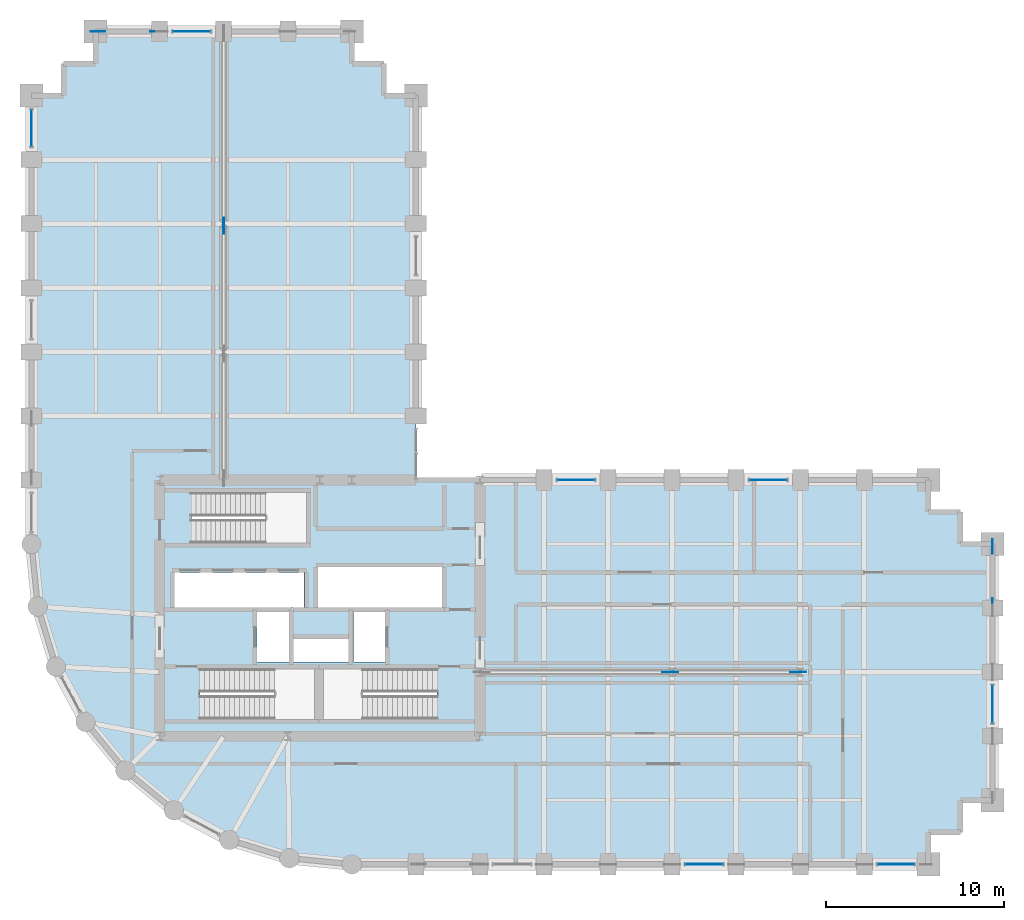
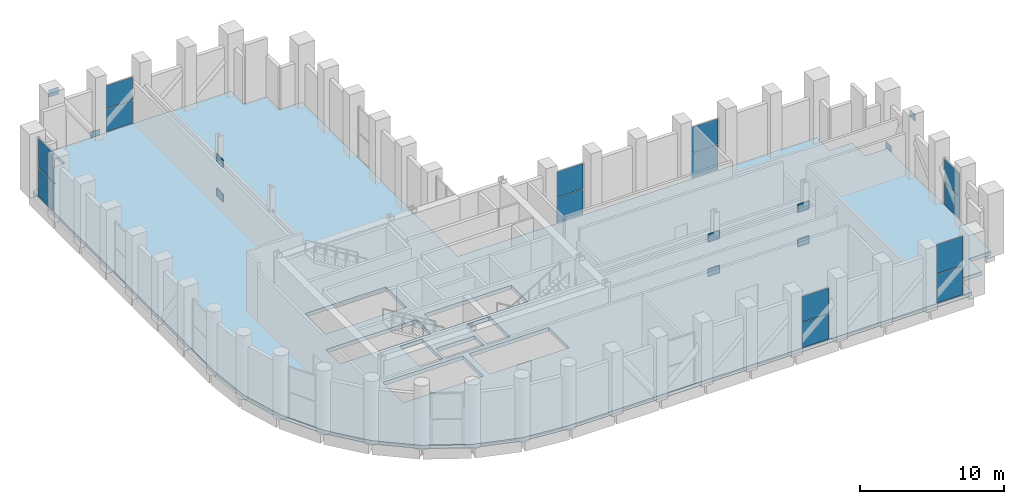
# One storey, part 21 of 27: 24 plates, 1 slab, 7 elements without a shape of their own.
"""IFC4 building model written with IfcOpenShell, lengths in metres."""

import ifcopenshell
import ifcopenshell.guid

model = None  # the IFC model being written
_history = None  # IfcOwnerHistory: only IFC2X3 demands one
_inside = {}  # id of a spatial element -> (the spatial element, [elements in it])
_under = {}  # id of a project, library or spatial element -> (it, [spatial elements below it])
_declared = {}  # id of a project -> (the project, [libraries it declares])
_typed = {}  # id of a type object -> (the type object, [elements of that type])
_made_of = {}  # id of a material, layer set ... -> (it, [elements and type objects made of it])


def new_model(schema):
    """Start an empty IFC model of exactly this schema.

    Asked for "IFC4X3", IfcOpenShell would pick the latest addendum, in which some entities
    have other attributes; the version numbers below select the first issue.
    IFC2X3 requires an IfcOwnerHistory on every rooted entity: one is made here for all.
    """
    global model, _history
    if schema == "IFC4X3":
        model = ifcopenshell.file(schema_version=(4, 3, 0, 0))
    else:
        model = ifcopenshell.file(schema=schema)
    _inside.clear()
    _under.clear()
    _declared.clear()
    _typed.clear()
    _made_of.clear()
    _history = None
    if model.schema == "IFC2X3":
        org = make("IfcOrganization", Name="unknown")
        user = make(
            "IfcPersonAndOrganization",
            ThePerson=make("IfcPerson", FamilyName="unknown"),
            TheOrganization=org,
        )
        app = make(
            "IfcApplication",
            ApplicationDeveloper=org,
            Version="unknown",
            ApplicationFullName="unknown",
            ApplicationIdentifier="unknown",
        )
        _history = make(
            "IfcOwnerHistory",
            OwningUser=user,
            OwningApplication=app,
            ChangeAction="ADDED",
            CreationDate=0,
        )
    return model


def make(cls, **values):
    """One entity of the class cls with the attributes given. An attribute that is None is left unset."""
    return model.create_entity(
        cls, **{name: value for name, value in values.items() if value is not None}
    )


def rooted(cls, **values):
    """An entity with a GlobalId (a new one), such as an element, a storey or a relation."""
    return make(cls, GlobalId=ifcopenshell.guid.new(), OwnerHistory=_history, **values)


def si_unit(unit_type, name, prefix=None):
    """IfcSIUnit, for example si_unit("LENGTHUNIT", "METRE", prefix="MILLI")."""
    return make("IfcSIUnit", UnitType=unit_type, Prefix=prefix, Name=name)


def assignment(units):
    """IfcUnitAssignment: the units of a project."""
    return None if units is None else make("IfcUnitAssignment", Units=units)


def point(xyz):
    """IfcCartesianPoint."""
    return None if xyz is None else make("IfcCartesianPoint", Coordinates=xyz)


def direction(xyz):
    """IfcDirection."""
    return None if xyz is None else make("IfcDirection", DirectionRatios=xyz)


def frame(location, z_axis=None, x_axis=None):
    """IfcAxis2Placement3D, a coordinate frame: its origin and axes. An axis left out is left unset."""
    return make(
        "IfcAxis2Placement3D",
        Location=point(location),
        Axis=direction(z_axis),
        RefDirection=direction(x_axis),
    )


def frame_2d(location, x_axis=None):
    """IfcAxis2Placement2D, a coordinate frame in the plane: its origin and x axis."""
    return make(
        "IfcAxis2Placement2D", Location=point(location), RefDirection=direction(x_axis)
    )


def origin():
    """The frame at (0, 0, 0) with its axes left unset."""
    return frame((0.0, 0.0, 0.0))


def origin_2d():
    """The frame at (0, 0) in the plane with its x axis left unset."""
    return frame_2d((0.0, 0.0))


def place(relative_to, where):
    """IfcLocalPlacement: puts the frame where relative to a parent placement (None: the world)."""
    return make(
        "IfcLocalPlacement", PlacementRelTo=relative_to, RelativePlacement=where
    )


def context(
    kind, dimensions, precision=None, world=None, true_north=None, identifier=None
):
    """IfcGeometricRepresentationContext, for example the 3D "Model" context."""
    return make(
        "IfcGeometricRepresentationContext",
        ContextIdentifier=identifier,
        ContextType=kind,
        CoordinateSpaceDimension=dimensions,
        Precision=precision,
        WorldCoordinateSystem=world,
        TrueNorth=true_north,
    )


def subcontext(parent, identifier, kind, view, scale=None):
    """IfcGeometricRepresentationSubContext, for example "Body" below "Model"."""
    return make(
        "IfcGeometricRepresentationSubContext",
        ContextIdentifier=identifier,
        ContextType=kind,
        ParentContext=parent,
        TargetScale=scale,
        TargetView=view,
    )


def project(units=None, contexts=None):
    """IfcProject with its units and contexts."""
    return rooted(
        "IfcProject",
        Name="project",
        RepresentationContexts=contexts,
        UnitsInContext=assignment(units),
    )


def spatial(cls, under=None, at=None, **own):
    """A site, building, storey or space (cls), placed at a placement, below another one or the project."""
    s = rooted(cls, ObjectPlacement=at, **own)
    if under is not None:
        _under.setdefault(under.id(), (under, []))[1].append(s)
    return s


def polyline(points):
    """IfcPolyline through the points."""
    return make("IfcPolyline", Points=[point(p) for p in points])


def profile(cls, at=None, kind="AREA", **sizes):
    """A parametric profile (cls). Its sizes go by their IFC names, for example OverallWidth=200.0."""
    return make(cls, ProfileType=kind, Position=at, **sizes)


def rectangle(**sizes):
    """IfcRectangleProfileDef."""
    return profile("IfcRectangleProfileDef", **sizes)


def outline(outer, holes=None, kind="AREA"):
    """IfcArbitraryClosedProfileDef: a profile drawn as a closed curve; with holes, ...WithVoids."""
    if holes is None:
        return make("IfcArbitraryClosedProfileDef", ProfileType=kind, OuterCurve=outer)
    return make(
        "IfcArbitraryProfileDefWithVoids",
        ProfileType=kind,
        OuterCurve=outer,
        InnerCurves=holes,
    )


def extrude(swept, where, along, depth):
    """IfcExtrudedAreaSolid: the profile swept, set in the frame where, extruded along a direction by depth."""
    return make(
        "IfcExtrudedAreaSolid",
        SweptArea=swept,
        Position=where,
        ExtrudedDirection=direction(along),
        Depth=depth,
    )


def shape(context_of_items, identifier, shape_type, items):
    """IfcShapeRepresentation: the items that make up one representation, for example the "Body"."""
    return make(
        "IfcShapeRepresentation",
        ContextOfItems=context_of_items,
        RepresentationIdentifier=identifier,
        RepresentationType=shape_type,
        Items=items,
    )


def material(Name=None, Category=None):
    """IfcMaterial."""
    return make("IfcMaterial", Name=Name, Category=Category)


def layer(
    of_material, thickness, ventilated=None, Name=None, Category=None, Priority=None
):
    """IfcMaterialLayer: one layer of a wall or slab, of a material (None: an air gap)."""
    return make(
        "IfcMaterialLayer",
        Material=of_material,
        LayerThickness=thickness,
        IsVentilated=ventilated,
        Name=Name,
        Category=Category,
        Priority=Priority,
    )


def layer_set(layers, Name=None):
    """IfcMaterialLayerSet."""
    return make("IfcMaterialLayerSet", MaterialLayers=layers, LayerSetName=Name)


def made_of(thing, what):
    """Note that an element or type object is made of a material, layer set ...; save() writes the relation."""
    if what is not None:
        _made_of.setdefault(what.id(), (what, []))[1].append(thing)
    return thing


def type_object(cls, material=None, **own):
    """A type object (cls), such as IfcWallType, which elements share."""
    return made_of(rooted(cls, **own), material)


def element(
    cls,
    number,
    at=None,
    inside=None,
    cuts=None,
    type_object=None,
    material=None,
    context=None,
    identifier="Body",
    shape_type=None,
    held_by="IfcProductDefinitionShape",
    body=None,
    shapes=None,
    **own,
):
    """One element of the class cls, such as IfcWall. Its Tag is "e" and its number.

    at: its placement. inside: the storey or other place that contains it. cuts: it is an
    opening in that element (IfcRelVoidsElement). A single representation is given by context,
    identifier, shape_type and body (its items); several are given by shapes. held_by: the class
    of the entity that holds the representations. save() writes the other relations.
    """
    e = rooted(cls, Tag="e%d" % number, ObjectPlacement=at, **own)
    if body is not None:
        shapes = [shape(context, identifier, shape_type, body)]
    if shapes is not None:
        e.Representation = make(held_by, Representations=shapes)
    if inside is not None:
        _inside.setdefault(inside.id(), (inside, []))[1].append(e)
    if cuts is not None:
        rooted(
            "IfcRelVoidsElement", RelatingBuildingElement=cuts, RelatedOpeningElement=e
        )
    if type_object is not None:
        _typed.setdefault(type_object.id(), (type_object, []))[1].append(e)
    return made_of(e, material)


def aggregate(whole, parts):
    """IfcRelAggregates: a whole, such as a stair, and the parts it consists of."""
    return rooted("IfcRelAggregates", RelatingObject=whole, RelatedObjects=parts)


def save(model, path):
    """Write the relations noted so far, then the file.

    IfcRelAggregates (storeys below a building ...), IfcRelContainedInSpatialStructure (elements
    in a storey), IfcRelDefinesByType, IfcRelAssociatesMaterial and IfcRelDeclares: one each for
    every whole, place, type object, material and project.
    """
    for whole, parts in _under.values():
        aggregate(whole, parts)
    for where, things in _inside.values():
        rooted(
            "IfcRelContainedInSpatialStructure",
            RelatedElements=things,
            RelatingStructure=where,
        )
    for kind, things in _typed.values():
        rooted("IfcRelDefinesByType", RelatedObjects=things, RelatingType=kind)
    for what, things in _made_of.values():
        rooted("IfcRelAssociatesMaterial", RelatedObjects=things, RelatingMaterial=what)
    for by, libraries in _declared.values():
        rooted("IfcRelDeclares", RelatingContext=by, RelatedDefinitions=libraries)
    model.write(path)


model = new_model("IFC4")

# Units and contexts
model_context = context("Model", 3, precision=1e-05, world=origin(), true_north=direction((0.0, 1.0)))
body_context = subcontext(model_context, "Body", "Model", "MODEL_VIEW")
ifc_project = project(units=[si_unit("LENGTHUNIT", "METRE"), si_unit("AREAUNIT", "SQUARE_METRE"), si_unit("VOLUMEUNIT", "CUBIC_METRE"), si_unit("PLANEANGLEUNIT", "RADIAN"), si_unit("MASSUNIT", "GRAM", prefix="KILO")], contexts=[model_context])

# Site, building, storey
site_placement = place(None, origin())
site = spatial("IfcSite", under=ifc_project, at=site_placement, CompositionType="ELEMENT")
building_placement = place(site_placement, origin())
building = spatial("IfcBuilding", under=site, at=building_placement, Name="Solnavia Interchange Tower", CompositionType="ELEMENT")
storey_placement = place(building_placement, frame((0.0, 0.0, 74.699951171875)))
storey = spatial("IfcBuildingStorey", under=building, at=storey_placement, Name="L18", CompositionType="ELEMENT", Elevation=74.699951171875)

# Curtain wall, plates
ifc_material_1 = material(Name="Aluminium Alloy 6063-T6", Category="aluminium")
ifc_layer_1 = layer(ifc_material_1, 0.199951171875)
ifc_layer_set_1 = layer_set([ifc_layer_1], Name="Aluminium Alloy 6063-T6")
curtain_wall_type = type_object("IfcCurtainWallType", Name="CurtainWall-Louvre-CTW5", PredefinedType="NOTDEFINED", material=ifc_layer_set_1)
curtain_wall_1_placement = place(storey_placement, origin())
curtain_wall_1 = element("IfcCurtainWall", 1, at=curtain_wall_1_placement, inside=storey, type_object=curtain_wall_type, Name="CTW-L18-L06 CTW-5 curtain wall", PredefinedType="NOTDEFINED")
ifc_material_2 = material(Name="Powder-Coated Aluminium Louvre", Category="aluminium")
ifc_layer_2 = layer(ifc_material_2, 0.0400390625)
ifc_layer_set_2 = layer_set([ifc_layer_2], Name="Powder-Coated Aluminium Louvre")
plate_type_1 = type_object("IfcPlateType", Name="CW-Panel-Louvre-40", PredefinedType="CURTAIN_PANEL", material=ifc_layer_set_2)
plate_1_placement = place(storey_placement, frame((45.0, 3.60009765625, 0.06005859375), z_axis=(0.0, 0.0, 1.0), x_axis=(1.0, 0.0, 0.0)))
plate_1 = element("IfcPlate", 2, at=plate_1_placement, type_object=plate_type_1, Name="CTW-5 panel 1.1", PredefinedType="CURTAIN_PANEL", context=body_context, shape_type="SweptSolid", body=[
    extrude(rectangle(XDim=2.10498046875, YDim=0.0400390625, at=origin_2d()), origin(), (0.0, 0.0, 1.0), 2.125),
])
plate_2_placement = place(storey_placement, frame((45.0, 3.60009765625, 2.2451171875), z_axis=(0.0, 0.0, 1.0), x_axis=(1.0, 0.0, 0.0)))
plate_2 = element("IfcPlate", 3, at=plate_2_placement, type_object=plate_type_1, Name="CTW-5 panel 1.2", PredefinedType="CURTAIN_PANEL", context=body_context, shape_type="SweptSolid", body=[
    extrude(rectangle(XDim=2.10498046875, YDim=0.0400390625, at=origin_2d()), origin(), (0.0, 0.0, 1.0), 2.125),
])
aggregate(curtain_wall_1, [plate_1, plate_2])

curtain_wall_2_placement = place(storey_placement, origin())
curtain_wall_2 = element("IfcCurtainWall", 4, at=curtain_wall_2_placement, inside=storey, type_object=curtain_wall_type, Name="CTW-L18-L09 CTW-5 curtain wall", PredefinedType="NOTDEFINED")
plate_3_placement = place(storey_placement, frame((55.77490234375, 3.60009765625, 0.06005859375), z_axis=(0.0, 0.0, 1.0), x_axis=(1.0, 0.0, 0.0)))
plate_3 = element("IfcPlate", 5, at=plate_3_placement, type_object=plate_type_1, Name="CTW-5 panel 1.1", PredefinedType="CURTAIN_PANEL", context=body_context, shape_type="SweptSolid", body=[
    extrude(rectangle(XDim=2.054931640625, YDim=0.0400390625, at=origin_2d()), origin(), (0.0, 0.0, 1.0), 2.443115234375),
])
plate_4_placement = place(storey_placement, frame((55.77490234375, 3.60009765625, 2.56298828125), z_axis=(0.0, 0.0, 1.0), x_axis=(1.0, 0.0, 0.0)))
plate_4 = element("IfcPlate", 6, at=plate_4_placement, type_object=plate_type_1, Name="CTW-5 panel 1.2", PredefinedType="CURTAIN_PANEL", context=body_context, shape_type="SweptSolid", body=[
    extrude(rectangle(XDim=2.054931640625, YDim=0.0400390625, at=origin_2d()), origin(), (0.0, 0.0, 1.0), 2.44189453125),
])
aggregate(curtain_wall_2, [plate_3, plate_4])

curtain_wall_3_placement = place(storey_placement, origin())
curtain_wall_3 = element("IfcCurtainWall", 7, at=curtain_wall_3_placement, inside=storey, type_object=curtain_wall_type, Name="CTW-L18-L15 CTW-5 curtain wall", PredefinedType="NOTDEFINED")
plate_5_placement = place(storey_placement, frame((61.199951171875, 12.60009765625, 0.06005859375), z_axis=(0.0, 0.0, 1.0), x_axis=(0.0, 1.0, 0.0)))
plate_5 = element("IfcPlate", 8, at=plate_5_placement, type_object=plate_type_1, Name="CTW-5 panel 1.1", PredefinedType="CURTAIN_PANEL", context=body_context, shape_type="SweptSolid", body=[
    extrude(rectangle(XDim=2.10498046875, YDim=0.0400390625, at=origin_2d()), origin(), (0.0, 0.0, 1.0), 1.925048828125),
])
plate_6_placement = place(storey_placement, frame((61.199951171875, 12.60009765625, 2.044921875), z_axis=(0.0, 0.0, 1.0), x_axis=(0.0, 1.0, 0.0)))
plate_6 = element("IfcPlate", 9, at=plate_6_placement, type_object=plate_type_1, Name="CTW-5 panel 1.2", PredefinedType="CURTAIN_PANEL", context=body_context, shape_type="SweptSolid", body=[
    extrude(rectangle(XDim=2.10498046875, YDim=0.0400390625, at=origin_2d()), origin(), (0.0, 0.0, 1.0), 1.925048828125),
])
aggregate(curtain_wall_3, [plate_5, plate_6])

curtain_wall_4_placement = place(storey_placement, origin())
curtain_wall_4 = element("IfcCurtainWall", 10, at=curtain_wall_4_placement, inside=storey, type_object=curtain_wall_type, Name="CTW-L18-L24 CTW-5 curtain wall", PredefinedType="NOTDEFINED")
plate_7_placement = place(storey_placement, frame((48.60009765625, 25.199951171875, 0.06005859375), z_axis=(0.0, 0.0, 1.0), x_axis=(-1.0, 0.0, 0.0)))
plate_7 = element("IfcPlate", 11, at=plate_7_placement, type_object=plate_type_1, Name="CTW-5 panel 1.1", PredefinedType="CURTAIN_PANEL", context=body_context, shape_type="SweptSolid", body=[
    extrude(rectangle(XDim=2.10498046875, YDim=0.0400390625, at=origin_2d()), origin(), (0.0, 0.0, 1.0), 2.125),
])
plate_8_placement = place(storey_placement, frame((48.60009765625, 25.199951171875, 2.2451171875), z_axis=(0.0, 0.0, 1.0), x_axis=(-1.0, 0.0, 0.0)))
plate_8 = element("IfcPlate", 12, at=plate_8_placement, type_object=plate_type_1, Name="CTW-5 panel 1.2", PredefinedType="CURTAIN_PANEL", context=body_context, shape_type="SweptSolid", body=[
    extrude(rectangle(XDim=2.10498046875, YDim=0.0400390625, at=origin_2d()), origin(), (0.0, 0.0, 1.0), 2.125),
])
aggregate(curtain_wall_4, [plate_7, plate_8])

curtain_wall_5_placement = place(storey_placement, origin())
curtain_wall_5 = element("IfcCurtainWall", 13, at=curtain_wall_5_placement, inside=storey, type_object=curtain_wall_type, Name="CTW-L18-L27 CTW-5 curtain wall", PredefinedType="NOTDEFINED")
plate_9_placement = place(storey_placement, frame((37.800048828125, 25.199951171875, 0.06005859375), z_axis=(0.0, 0.0, 1.0), x_axis=(-1.0, 0.0, 0.0)))
plate_9 = element("IfcPlate", 14, at=plate_9_placement, type_object=plate_type_1, Name="CTW-5 panel 1.1", PredefinedType="CURTAIN_PANEL", context=body_context, shape_type="SweptSolid", body=[
    extrude(rectangle(XDim=2.10498046875, YDim=0.0400390625, at=origin_2d()), origin(), (0.0, 0.0, 1.0), 2.125),
])
plate_10_placement = place(storey_placement, frame((37.800048828125, 25.199951171875, 2.2451171875), z_axis=(0.0, 0.0, 1.0), x_axis=(-1.0, 0.0, 0.0)))
plate_10 = element("IfcPlate", 15, at=plate_10_placement, type_object=plate_type_1, Name="CTW-5 panel 1.2", PredefinedType="CURTAIN_PANEL", context=body_context, shape_type="SweptSolid", body=[
    extrude(rectangle(XDim=2.10498046875, YDim=0.0400390625, at=origin_2d()), origin(), (0.0, 0.0, 1.0), 2.125),
])
aggregate(curtain_wall_5, [plate_9, plate_10])

curtain_wall_6_placement = place(storey_placement, origin())
curtain_wall_6 = element("IfcCurtainWall", 16, at=curtain_wall_6_placement, inside=storey, type_object=curtain_wall_type, Name="CTW-L18-L42 CTW-5 curtain wall", PredefinedType="NOTDEFINED")
plate_11_placement = place(storey_placement, frame((16.199951171875, 50.39990234375, 0.06005859375), z_axis=(0.0, 0.0, 1.0), x_axis=(-1.0, 0.0, 0.0)))
plate_11 = element("IfcPlate", 17, at=plate_11_placement, type_object=plate_type_1, Name="CTW-5 panel 1.1", PredefinedType="CURTAIN_PANEL", context=body_context, shape_type="SweptSolid", body=[
    extrude(rectangle(XDim=2.10498046875, YDim=0.0400390625, at=origin_2d()), origin(), (0.0, 0.0, 1.0), 1.925048828125),
])
plate_12_placement = place(storey_placement, frame((16.199951171875, 50.39990234375, 2.044921875), z_axis=(0.0, 0.0, 1.0), x_axis=(-1.0, 0.0, 0.0)))
plate_12 = element("IfcPlate", 18, at=plate_12_placement, type_object=plate_type_1, Name="CTW-5 panel 1.2", PredefinedType="CURTAIN_PANEL", context=body_context, shape_type="SweptSolid", body=[
    extrude(rectangle(XDim=2.10498046875, YDim=0.0400390625, at=origin_2d()), origin(), (0.0, 0.0, 1.0), 1.925048828125),
])
aggregate(curtain_wall_6, [plate_11, plate_12])

curtain_wall_7_placement = place(storey_placement, origin())
curtain_wall_7 = element("IfcCurtainWall", 19, at=curtain_wall_7_placement, inside=storey, type_object=curtain_wall_type, Name="CTW-L18-L48 CTW-5 curtain wall", PredefinedType="NOTDEFINED")
plate_13_placement = place(storey_placement, frame((7.199951171875, 44.97509765625, 0.06005859375), z_axis=(0.0, 0.0, 1.0), x_axis=(0.0, -1.0, 0.0)))
plate_13 = element("IfcPlate", 20, at=plate_13_placement, type_object=plate_type_1, Name="CTW-5 panel 1.1", PredefinedType="CURTAIN_PANEL", context=body_context, shape_type="SweptSolid", body=[
    extrude(rectangle(XDim=2.054931640625, YDim=0.0400390625, at=origin_2d()), origin(), (0.0, 0.0, 1.0), 2.443115234375),
])
plate_14_placement = place(storey_placement, frame((7.199951171875, 44.97509765625, 2.56298828125), z_axis=(0.0, 0.0, 1.0), x_axis=(0.0, -1.0, 0.0)))
plate_14 = element("IfcPlate", 21, at=plate_14_placement, type_object=plate_type_1, Name="CTW-5 panel 1.2", PredefinedType="CURTAIN_PANEL", context=body_context, shape_type="SweptSolid", body=[
    extrude(rectangle(XDim=2.054931640625, YDim=0.0400390625, at=origin_2d()), origin(), (0.0, 0.0, 1.0), 2.44189453125),
])
aggregate(curtain_wall_7, [plate_13, plate_14])

# Plates
ifc_material_3 = material(Name="Steel S460", Category="steel")
ifc_layer_3 = layer(ifc_material_3, 0.035888671875)
ifc_layer_set_3 = layer_set([ifc_layer_3], Name="Steel S460")
plate_type_2 = type_object("IfcPlateType", Name="Plate-Gusset-800x600x36", PredefinedType="USERDEFINED", material=ifc_layer_set_3)
for number, where, z_axis, x_axis, name in (
    (22, (61.199951171875, 21.4599609375, -0.1201171875), (0.0, 0.0, 1.0), (0.0, -1.0, 0.0), "PLT-L18-GP05 Perimeter brace gusset plate"),
    (23, (61.199951171875, 18.139892578125, 4.60009765625), (0.0, 0.0, 1.0), (0.0, -1.0, 0.0), "PLT-L18-GP06 Perimeter brace gusset plate"),
    (24, (14.260009765625, 50.39990234375, -0.1201171875), (0.0, 0.0, 1.0), (-1.0, 0.0, 0.0), "PLT-L18-GP07 Perimeter brace gusset plate"),
    (25, (10.93994140625, 50.39990234375, 4.60009765625), (0.0, 0.0, 1.0), (-1.0, 0.0, 0.0), "PLT-L18-GP08 Perimeter brace gusset plate"),
):
    element("IfcPlate", number, at=place(storey_placement, frame(where, z_axis=z_axis, x_axis=x_axis)), inside=storey, type_object=plate_type_2, Name=name, ObjectType="GUSSET PLATE", PredefinedType="USERDEFINED", context=body_context, shape_type="SweptSolid", body=[
        extrude(rectangle(XDim=0.800048828125, YDim=0.035888671875, at=origin_2d()), origin(), (0.0, 0.0, 1.0), 0.60009765625),
    ])
ifc_layer_4 = layer(ifc_material_3, 0.035888671875)
ifc_layer_set_4 = layer_set([ifc_layer_4], Name="Steel S460")
plate_type_3 = type_object("IfcPlateType", Name="Plate-Gusset-900x680x36", PredefinedType="USERDEFINED", material=ifc_layer_set_4)
for number, where, z_axis, x_axis, name in (
    (26, (43.10009765625, 14.39990234375, -0.0400390625), (0.0, 0.0, 1.0), (1.0, 0.0, 0.0), "PLT-L18-GP10 Outrigger node gusset plate"),
    (27, (43.10009765625, 14.39990234375, 2.91015625), (0.0, 0.0, 1.0), (1.0, 0.0, 0.0), "PLT-L18-GP12 Outrigger node gusset plate"),
    (28, (50.300048828125, 14.39990234375, -0.0400390625), (0.0, 0.0, 1.0), (1.0, 0.0, 0.0), "PLT-L18-GP13 Outrigger node gusset plate"),
    (29, (50.300048828125, 14.39990234375, 2.91015625), (0.0, 0.0, 1.0), (1.0, 0.0, 0.0), "PLT-L18-GP14 Outrigger node gusset plate"),
    (30, (18.0, 39.5, -0.0400390625), (0.0, 0.0, 1.0), (0.0, 1.0, 0.0), "PLT-L18-GP19 Outrigger node gusset plate"),
    (31, (18.0, 39.5, 2.91015625), (0.0, 0.0, 1.0), (0.0, 1.0, 0.0), "PLT-L18-GP20 Outrigger node gusset plate"),
):
    element("IfcPlate", number, at=place(storey_placement, frame(where, z_axis=z_axis, x_axis=x_axis)), inside=storey, type_object=plate_type_3, Name=name, ObjectType="GUSSET PLATE", PredefinedType="USERDEFINED", context=body_context, shape_type="SweptSolid", body=[
        extrude(rectangle(XDim=0.89990234375, YDim=0.035888671875, at=origin_2d()), origin(), (0.0, 0.0, 1.0), 0.679931640625),
    ])

# Slab
ifc_material_4 = material(Name="Concrete C40/50", Category="concrete")
ifc_layer_5 = layer(ifc_material_4, 0.320068359375)
ifc_layer_set_5 = layer_set([ifc_layer_5], Name="Concrete C40/50")
slab_type = type_object("IfcSlabType", Name="Slab-Special-320", PredefinedType="FLOOR", material=ifc_layer_set_5)
slab_placement = place(storey_placement, frame((0.0, 0.0, -0.320068359375)))
element("IfcSlab", 32, at=slab_placement, inside=storey, type_object=slab_type, Name="SLB-L18-01 Structural floor slab", PredefinedType="FLOOR", context=body_context, shape_type="SweptSolid", body=[
    extrude(outline(polyline([(25.199951171875, 3.60009765625), (57.60009765625, 3.60009765625), (57.60009765625, 5.39990234375), (59.39990234375, 5.39990234375), (59.39990234375, 7.199951171875), (61.199951171875, 7.199951171875), (61.199951171875, 21.60009765625), (59.39990234375, 21.60009765625), (59.39990234375, 23.39990234375), (57.60009765625, 23.39990234375), (57.60009765625, 25.199951171875), (28.800048828125, 25.199951171875), (28.800048828125, 46.800048828125), (27.0, 46.800048828125), (27.0, 48.60009765625), (25.199951171875, 48.60009765625), (25.199951171875, 50.39990234375), (10.800048828125, 50.39990234375), (10.800048828125, 48.60009765625), (9.0, 48.60009765625), (9.0, 46.800048828125), (7.199951171875, 46.800048828125), (7.199951171875, 21.60009765625), (7.5458984375, 18.087890625), (8.570068359375, 14.7119140625), (10.23388671875, 11.60009765625), (12.471923828125, 8.8720703125), (15.199951171875, 6.634033203125), (18.31201171875, 4.969970703125), (21.68798828125, 3.946044921875), (25.199951171875, 3.60009765625)]), holes=[polyline([(16.675048828125, 11.75), (23.10009765625, 11.75), (23.10009765625, 14.590087890625), (16.675048828125, 14.590087890625), (16.675048828125, 11.75)]), polyline([(23.60009765625, 11.75), (29.97509765625, 11.75), (29.97509765625, 14.590087890625), (23.60009765625, 14.590087890625), (23.60009765625, 11.75)]), polyline([(16.175048828125, 21.64990234375), (22.64990234375, 21.64990234375), (22.64990234375, 24.489990234375), (16.175048828125, 24.489990234375), (16.175048828125, 21.64990234375)]), polyline([(19.8798828125, 14.9599609375), (21.679931640625, 14.9599609375), (21.679931640625, 17.780029296875), (19.8798828125, 17.780029296875), (19.8798828125, 14.9599609375)]), polyline([(25.280029296875, 14.9599609375), (27.080078125, 14.9599609375), (27.080078125, 17.780029296875), (25.280029296875, 17.780029296875), (25.280029296875, 14.9599609375)]), polyline([(21.919921875, 14.9599609375), (25.02001953125, 14.9599609375), (25.02001953125, 16.280029296875), (21.919921875, 16.280029296875), (21.919921875, 14.9599609375)]), polyline([(15.219970703125, 18.02001953125), (22.52001953125, 18.02001953125), (22.52001953125, 20.0), (15.219970703125, 20.0), (15.219970703125, 18.02001953125)]), polyline([(23.300048828125, 18.02001953125), (30.280029296875, 18.02001953125), (30.280029296875, 20.300048828125), (23.300048828125, 20.300048828125), (23.300048828125, 18.02001953125)])]), origin(), (0.0, 0.0, 1.0), 0.320068359375),
])

save(model, "model.ifc")
